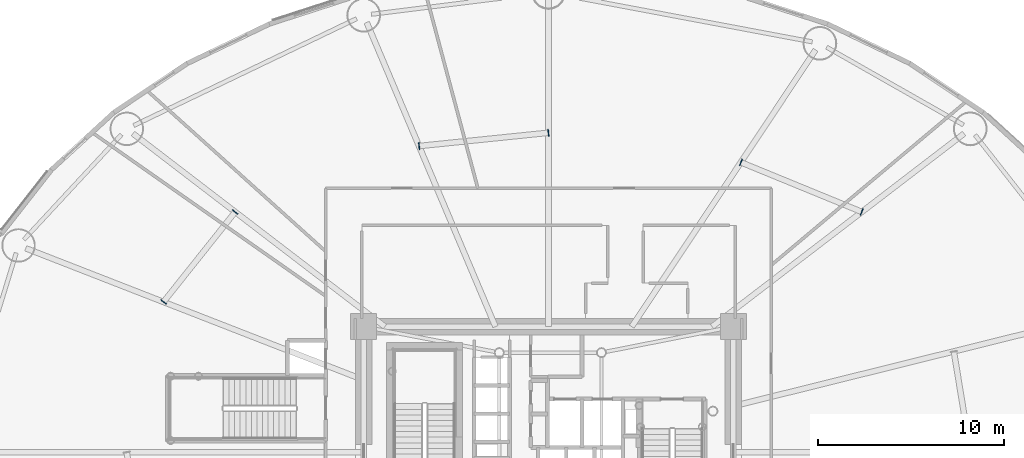
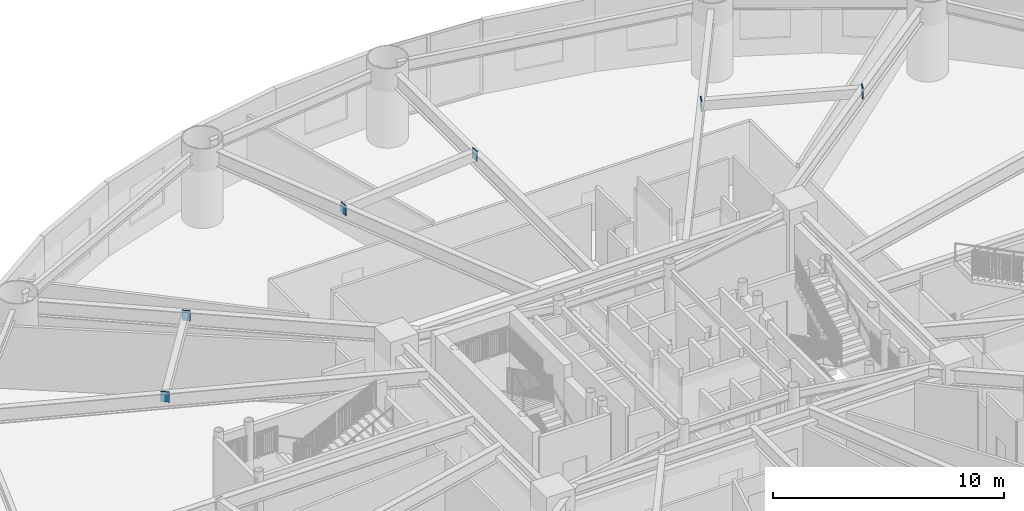
# One storey, part 15 of 31: 6 plates.
"""IFC4 building model written with IfcOpenShell, lengths in metres."""

from ifc_helpers import new_model, si_unit, direction, frame, origin, origin_2d, place, context, subcontext, project, spatial, rectangle, extrude, source, transform, mapped, material, layer, layer_set, type_object, element, save


model = new_model("IFC4")

# Units and contexts
model_context = context("Model", 3, precision=1e-05, world=origin(), true_north=direction((0.0, 1.0)))
body_context = subcontext(model_context, "Body", "Model", "MODEL_VIEW")
ifc_project = project(units=[si_unit("LENGTHUNIT", "METRE"), si_unit("AREAUNIT", "SQUARE_METRE"), si_unit("VOLUMEUNIT", "CUBIC_METRE"), si_unit("PLANEANGLEUNIT", "RADIAN"), si_unit("MASSUNIT", "GRAM", prefix="KILO")], contexts=[model_context])

# Site, building, storey
site_placement = place(None, origin())
site = spatial("IfcSite", under=ifc_project, at=site_placement, CompositionType="ELEMENT")
building_placement = place(site_placement, origin())
building = spatial("IfcBuilding", under=site, at=building_placement, Name="Linh Dai School and Residence Tower", CompositionType="ELEMENT")
storey_placement = place(building_placement, frame((0.0, 0.0, 6.0)))
storey = spatial("IfcBuildingStorey", under=building, at=storey_placement, Name="L01", CompositionType="ELEMENT", Elevation=6.0)

# Plates
ifc_material = material(Name="Structural Steel S355JR", Category="steel")
ifc_layer = layer(ifc_material, 0.0400390625)
ifc_layer_set = layer_set([ifc_layer], Name="Structural Steel S355JR")
plate_type = type_object("IfcPlateType", Name="PLT-GP1", PredefinedType="USERDEFINED", material=ifc_layer_set)
shared_shape = source(origin(), body_context, "Body", "SweptSolid", [
    extrude(rectangle(XDim=0.0400390625, YDim=0.3798828125, at=origin_2d()), origin(), (0.0, 0.0, 1.0), 0.5400390625),
])
for number, where, z_axis, x_axis, name in (
    (1, (52.86376953125, 39.92919921875, 3.3798828125), (0.0, 0.0, 1.0), (-0.925232467292, 0.379400687228, 0.0), "L01 Secondary Beam End Plate 02A"),
    (2, (46.360107421875, 42.59619140625, 3.3798828125), (0.0, 0.0, 1.0), (-0.925232467292, 0.379400687228, 0.0), "L01 Secondary Beam End Plate 02B"),
    (3, (35.9951171875, 44.189453125, 3.3798828125), (0.0, 0.0, 1.0), (-0.994771705806, -0.102123715795, 0.0), "L01 Secondary Beam End Plate 03A"),
    (4, (29.03369140625, 43.474853515625, 3.3798828125), (0.0, 0.0, 1.0), (-0.994771705806, -0.102123715795, 0.0), "L01 Secondary Beam End Plate 03B"),
    (5, (19.128662109375, 39.923583984375, 3.3798828125), (0.0, 0.0, 1.0), (-0.622932610294, -0.78227550328, 0.0), "L01 Secondary Beam End Plate 04A"),
    (6, (15.274658203125, 35.083740234375, 3.3798828125), (0.0, 0.0, 1.0), (-0.622932610294, -0.78227550328, 0.0), "L01 Secondary Beam End Plate 04B"),
):
    element("IfcPlate", number, at=place(storey_placement, frame(where, z_axis=z_axis, x_axis=x_axis)), inside=storey, type_object=plate_type, Name=name, ObjectType="GUSSET PLATE", PredefinedType="USERDEFINED", context=body_context, shape_type="MappedRepresentation", body=[
        mapped(shared_shape, transform((0.0, 0.0, 0.0), x_axis=(1.0, 0.0, 0.0), y_axis=(0.0, 1.0, 0.0), z_axis=(0.0, 0.0, 1.0), scale=1.0)),
    ])

save(model, "model.ifc")
